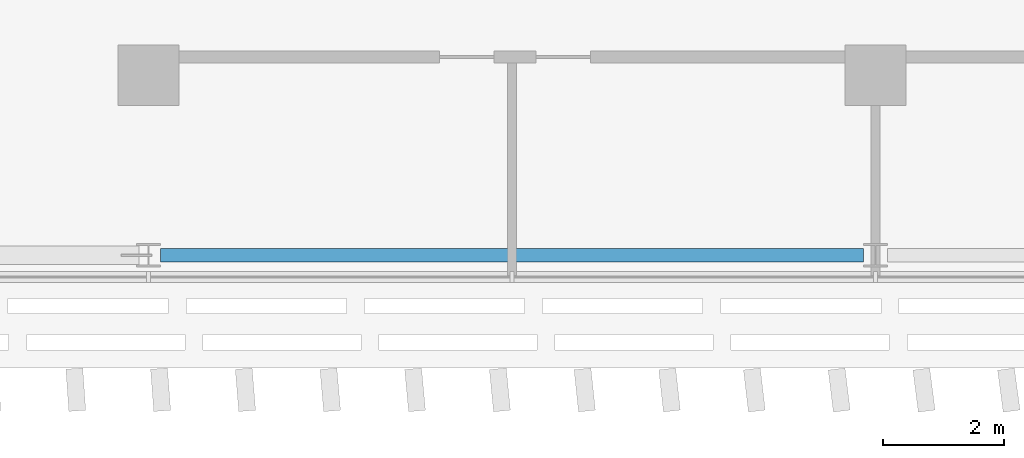
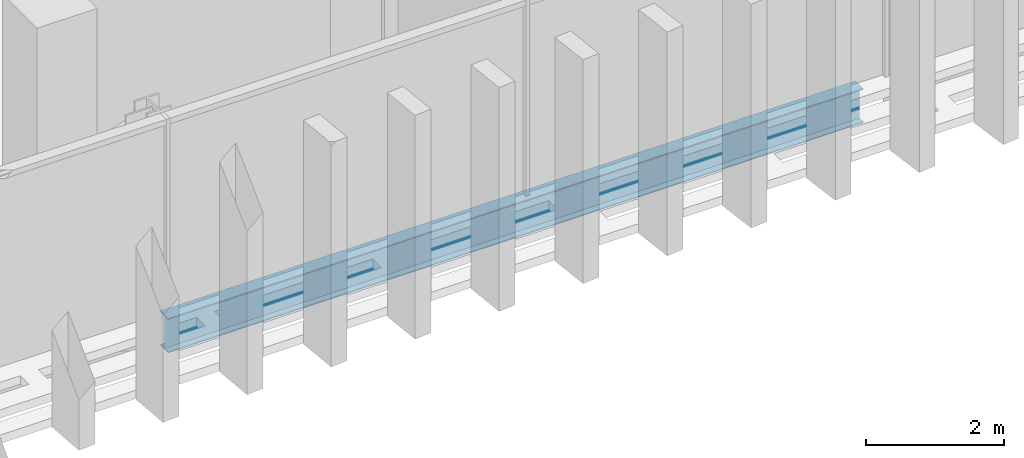
# One storey, part 6 of 35: 1 beam.
"""IFC4 building model written with IfcOpenShell, lengths in metres."""

import ifcopenshell
import ifcopenshell.guid

model = None  # the IFC model being written
_history = None  # IfcOwnerHistory: only IFC2X3 demands one
_inside = {}  # id of a spatial element -> (the spatial element, [elements in it])
_under = {}  # id of a project, library or spatial element -> (it, [spatial elements below it])
_declared = {}  # id of a project -> (the project, [libraries it declares])
_typed = {}  # id of a type object -> (the type object, [elements of that type])
_made_of = {}  # id of a material, layer set ... -> (it, [elements and type objects made of it])


def new_model(schema):
    """Start an empty IFC model of exactly this schema.

    Asked for "IFC4X3", IfcOpenShell would pick the latest addendum, in which some entities
    have other attributes; the version numbers below select the first issue.
    IFC2X3 requires an IfcOwnerHistory on every rooted entity: one is made here for all.
    """
    global model, _history
    if schema == "IFC4X3":
        model = ifcopenshell.file(schema_version=(4, 3, 0, 0))
    else:
        model = ifcopenshell.file(schema=schema)
    _inside.clear()
    _under.clear()
    _declared.clear()
    _typed.clear()
    _made_of.clear()
    _history = None
    if model.schema == "IFC2X3":
        org = make("IfcOrganization", Name="unknown")
        user = make(
            "IfcPersonAndOrganization",
            ThePerson=make("IfcPerson", FamilyName="unknown"),
            TheOrganization=org,
        )
        app = make(
            "IfcApplication",
            ApplicationDeveloper=org,
            Version="unknown",
            ApplicationFullName="unknown",
            ApplicationIdentifier="unknown",
        )
        _history = make(
            "IfcOwnerHistory",
            OwningUser=user,
            OwningApplication=app,
            ChangeAction="ADDED",
            CreationDate=0,
        )
    return model


def make(cls, **values):
    """One entity of the class cls with the attributes given. An attribute that is None is left unset."""
    return model.create_entity(
        cls, **{name: value for name, value in values.items() if value is not None}
    )


def rooted(cls, **values):
    """An entity with a GlobalId (a new one), such as an element, a storey or a relation."""
    return make(cls, GlobalId=ifcopenshell.guid.new(), OwnerHistory=_history, **values)


def si_unit(unit_type, name, prefix=None):
    """IfcSIUnit, for example si_unit("LENGTHUNIT", "METRE", prefix="MILLI")."""
    return make("IfcSIUnit", UnitType=unit_type, Prefix=prefix, Name=name)


def assignment(units):
    """IfcUnitAssignment: the units of a project."""
    return None if units is None else make("IfcUnitAssignment", Units=units)


def point(xyz):
    """IfcCartesianPoint."""
    return None if xyz is None else make("IfcCartesianPoint", Coordinates=xyz)


def direction(xyz):
    """IfcDirection."""
    return None if xyz is None else make("IfcDirection", DirectionRatios=xyz)


def frame(location, z_axis=None, x_axis=None):
    """IfcAxis2Placement3D, a coordinate frame: its origin and axes. An axis left out is left unset."""
    return make(
        "IfcAxis2Placement3D",
        Location=point(location),
        Axis=direction(z_axis),
        RefDirection=direction(x_axis),
    )


def frame_2d(location, x_axis=None):
    """IfcAxis2Placement2D, a coordinate frame in the plane: its origin and x axis."""
    return make(
        "IfcAxis2Placement2D", Location=point(location), RefDirection=direction(x_axis)
    )


def origin():
    """The frame at (0, 0, 0) with its axes left unset."""
    return frame((0.0, 0.0, 0.0))


def origin_2d():
    """The frame at (0, 0) in the plane with its x axis left unset."""
    return frame_2d((0.0, 0.0))


def place(relative_to, where):
    """IfcLocalPlacement: puts the frame where relative to a parent placement (None: the world)."""
    return make(
        "IfcLocalPlacement", PlacementRelTo=relative_to, RelativePlacement=where
    )


def context(
    kind, dimensions, precision=None, world=None, true_north=None, identifier=None
):
    """IfcGeometricRepresentationContext, for example the 3D "Model" context."""
    return make(
        "IfcGeometricRepresentationContext",
        ContextIdentifier=identifier,
        ContextType=kind,
        CoordinateSpaceDimension=dimensions,
        Precision=precision,
        WorldCoordinateSystem=world,
        TrueNorth=true_north,
    )


def subcontext(parent, identifier, kind, view, scale=None):
    """IfcGeometricRepresentationSubContext, for example "Body" below "Model"."""
    return make(
        "IfcGeometricRepresentationSubContext",
        ContextIdentifier=identifier,
        ContextType=kind,
        ParentContext=parent,
        TargetScale=scale,
        TargetView=view,
    )


def project(units=None, contexts=None):
    """IfcProject with its units and contexts."""
    return rooted(
        "IfcProject",
        Name="project",
        RepresentationContexts=contexts,
        UnitsInContext=assignment(units),
    )


def spatial(cls, under=None, at=None, **own):
    """A site, building, storey or space (cls), placed at a placement, below another one or the project."""
    s = rooted(cls, ObjectPlacement=at, **own)
    if under is not None:
        _under.setdefault(under.id(), (under, []))[1].append(s)
    return s


def profile(cls, at=None, kind="AREA", **sizes):
    """A parametric profile (cls). Its sizes go by their IFC names, for example OverallWidth=200.0."""
    return make(cls, ProfileType=kind, Position=at, **sizes)


def i_section(**sizes):
    """IfcIShapeProfileDef."""
    return profile("IfcIShapeProfileDef", **sizes)


def extrude(swept, where, along, depth):
    """IfcExtrudedAreaSolid: the profile swept, set in the frame where, extruded along a direction by depth."""
    return make(
        "IfcExtrudedAreaSolid",
        SweptArea=swept,
        Position=where,
        ExtrudedDirection=direction(along),
        Depth=depth,
    )


def shape(context_of_items, identifier, shape_type, items):
    """IfcShapeRepresentation: the items that make up one representation, for example the "Body"."""
    return make(
        "IfcShapeRepresentation",
        ContextOfItems=context_of_items,
        RepresentationIdentifier=identifier,
        RepresentationType=shape_type,
        Items=items,
    )


def material(Name=None, Category=None):
    """IfcMaterial."""
    return make("IfcMaterial", Name=Name, Category=Category)


def material_profile(
    of_material, cross_section, Name=None, Category=None, Priority=None
):
    """IfcMaterialProfile: a cross section and its material."""
    return make(
        "IfcMaterialProfile",
        Name=Name,
        Material=of_material,
        Profile=cross_section,
        Priority=Priority,
        Category=Category,
    )


def profile_set(profiles, Name=None, composite=None):
    """IfcMaterialProfileSet."""
    return make(
        "IfcMaterialProfileSet",
        Name=Name,
        MaterialProfiles=profiles,
        CompositeProfile=composite,
    )


def made_of(thing, what):
    """Note that an element or type object is made of a material, layer set ...; save() writes the relation."""
    if what is not None:
        _made_of.setdefault(what.id(), (what, []))[1].append(thing)
    return thing


def type_object(cls, material=None, **own):
    """A type object (cls), such as IfcWallType, which elements share."""
    return made_of(rooted(cls, **own), material)


def element(
    cls,
    number,
    at=None,
    inside=None,
    cuts=None,
    type_object=None,
    material=None,
    context=None,
    identifier="Body",
    shape_type=None,
    held_by="IfcProductDefinitionShape",
    body=None,
    shapes=None,
    **own,
):
    """One element of the class cls, such as IfcWall. Its Tag is "e" and its number.

    at: its placement. inside: the storey or other place that contains it. cuts: it is an
    opening in that element (IfcRelVoidsElement). A single representation is given by context,
    identifier, shape_type and body (its items); several are given by shapes. held_by: the class
    of the entity that holds the representations. save() writes the other relations.
    """
    e = rooted(cls, Tag="e%d" % number, ObjectPlacement=at, **own)
    if body is not None:
        shapes = [shape(context, identifier, shape_type, body)]
    if shapes is not None:
        e.Representation = make(held_by, Representations=shapes)
    if inside is not None:
        _inside.setdefault(inside.id(), (inside, []))[1].append(e)
    if cuts is not None:
        rooted(
            "IfcRelVoidsElement", RelatingBuildingElement=cuts, RelatedOpeningElement=e
        )
    if type_object is not None:
        _typed.setdefault(type_object.id(), (type_object, []))[1].append(e)
    return made_of(e, material)


def aggregate(whole, parts):
    """IfcRelAggregates: a whole, such as a stair, and the parts it consists of."""
    return rooted("IfcRelAggregates", RelatingObject=whole, RelatedObjects=parts)


def save(model, path):
    """Write the relations noted so far, then the file.

    IfcRelAggregates (storeys below a building ...), IfcRelContainedInSpatialStructure (elements
    in a storey), IfcRelDefinesByType, IfcRelAssociatesMaterial and IfcRelDeclares: one each for
    every whole, place, type object, material and project.
    """
    for whole, parts in _under.values():
        aggregate(whole, parts)
    for where, things in _inside.values():
        rooted(
            "IfcRelContainedInSpatialStructure",
            RelatedElements=things,
            RelatingStructure=where,
        )
    for kind, things in _typed.values():
        rooted("IfcRelDefinesByType", RelatedObjects=things, RelatingType=kind)
    for what, things in _made_of.values():
        rooted("IfcRelAssociatesMaterial", RelatedObjects=things, RelatingMaterial=what)
    for by, libraries in _declared.values():
        rooted("IfcRelDeclares", RelatingContext=by, RelatedDefinitions=libraries)
    model.write(path)


model = new_model("IFC4")

# Units and contexts
model_context = context("Model", 3, precision=1e-05, world=origin(), true_north=direction((0.0, 1.0)))
body_context = subcontext(model_context, "Body", "Model", "MODEL_VIEW")
ifc_project = project(units=[si_unit("LENGTHUNIT", "METRE"), si_unit("AREAUNIT", "SQUARE_METRE"), si_unit("VOLUMEUNIT", "CUBIC_METRE"), si_unit("PLANEANGLEUNIT", "RADIAN"), si_unit("MASSUNIT", "GRAM", prefix="KILO")], contexts=[model_context])

# Site, building, storey
site_placement = place(None, origin())
site = spatial("IfcSite", under=ifc_project, at=site_placement, CompositionType="ELEMENT")
building_placement = place(site_placement, origin())
building = spatial("IfcBuilding", under=site, at=building_placement, Name="Mahtab Terrace Research Tower", CompositionType="ELEMENT")
storey_placement = place(building_placement, frame((0.0, 0.0, 251.39990234375)))
storey = spatial("IfcBuildingStorey", under=building, at=storey_placement, Name="L61", CompositionType="ELEMENT", Elevation=251.39990234375)

# Beam
ifc_material = material(Name="Steel ASTM A992 Gr 50", Category="steel")
ifc_material_profile = material_profile(ifc_material, i_section(OverallWidth=0.228271484375, OverallDepth=0.607177734375, WebThickness=0.01123046875, FlangeThickness=0.017333984375, at=origin_2d()), Name="W24X76")
ifc_profile_set = profile_set([ifc_material_profile], Name="Steel ASTM A992 Gr 50")
beam_type = type_object("IfcBeamType", Name="W24x76 beam BS2476", PredefinedType="BEAM", material=ifc_profile_set)
beam_placement = place(storey_placement, frame((-17.800537109375, -14.472900390625, -0.6435546875), z_axis=(1.0, 0.0, 0.0), x_axis=(0.0, 1.0, 0.0)))
element("IfcBeam", 1, at=beam_placement, inside=storey, type_object=beam_type, Name="Spandrel beam L61 14", PredefinedType="BEAM", context=body_context, shape_type="SweptSolid", body=[
    extrude(i_section(OverallWidth=0.228271484375, OverallDepth=0.607177734375, WebThickness=0.01123046875, FlangeThickness=0.017333984375, at=origin_2d()), origin(), (0.0, 0.0, 1.0), 11.60107421875),
])

save(model, "model.ifc")
